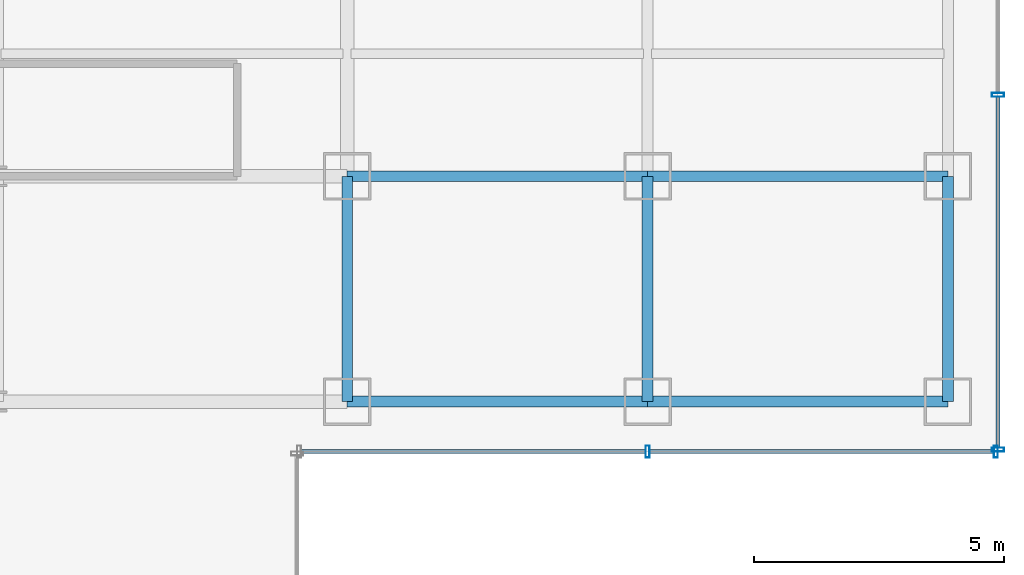
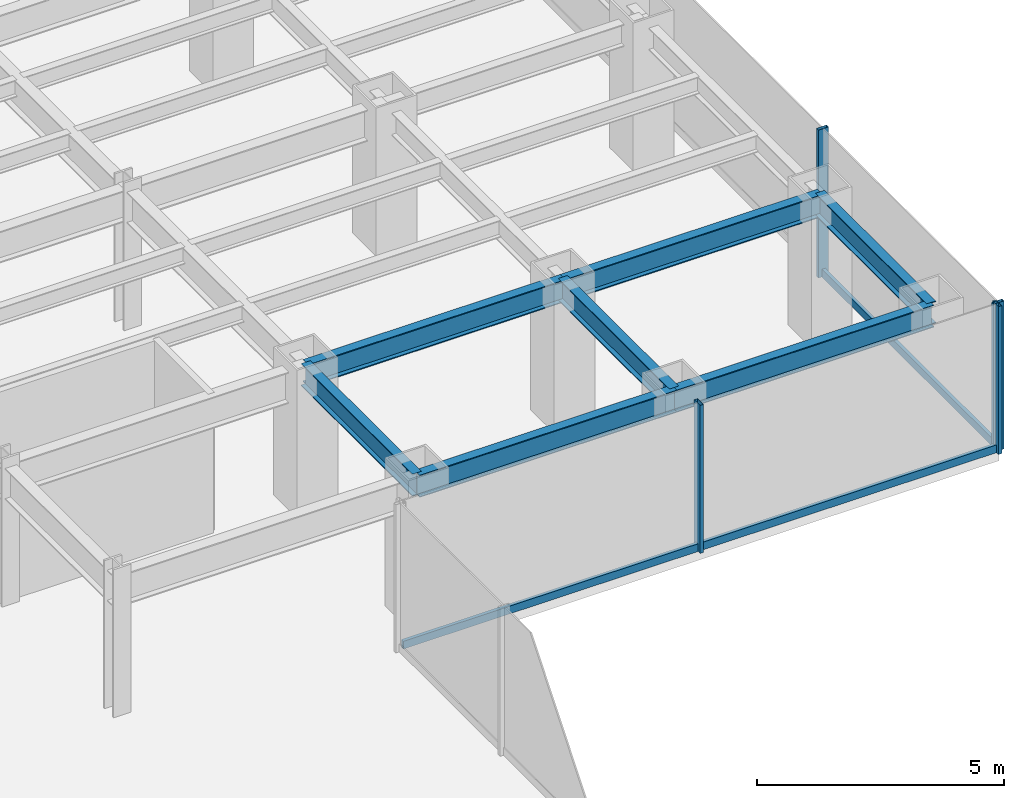
# One storey, part 7 of 23: 7 beams, 7 members, 2 elements without a shape of their own.
"""IFC4 building model written with IfcOpenShell, lengths in metres."""

import ifcopenshell
import ifcopenshell.guid

model = None  # the IFC model being written
_history = None  # IfcOwnerHistory: only IFC2X3 demands one
_inside = {}  # id of a spatial element -> (the spatial element, [elements in it])
_under = {}  # id of a project, library or spatial element -> (it, [spatial elements below it])
_declared = {}  # id of a project -> (the project, [libraries it declares])
_typed = {}  # id of a type object -> (the type object, [elements of that type])
_made_of = {}  # id of a material, layer set ... -> (it, [elements and type objects made of it])


def new_model(schema):
    """Start an empty IFC model of exactly this schema.

    Asked for "IFC4X3", IfcOpenShell would pick the latest addendum, in which some entities
    have other attributes; the version numbers below select the first issue.
    IFC2X3 requires an IfcOwnerHistory on every rooted entity: one is made here for all.
    """
    global model, _history
    if schema == "IFC4X3":
        model = ifcopenshell.file(schema_version=(4, 3, 0, 0))
    else:
        model = ifcopenshell.file(schema=schema)
    _inside.clear()
    _under.clear()
    _declared.clear()
    _typed.clear()
    _made_of.clear()
    _history = None
    if model.schema == "IFC2X3":
        org = make("IfcOrganization", Name="unknown")
        user = make(
            "IfcPersonAndOrganization",
            ThePerson=make("IfcPerson", FamilyName="unknown"),
            TheOrganization=org,
        )
        app = make(
            "IfcApplication",
            ApplicationDeveloper=org,
            Version="unknown",
            ApplicationFullName="unknown",
            ApplicationIdentifier="unknown",
        )
        _history = make(
            "IfcOwnerHistory",
            OwningUser=user,
            OwningApplication=app,
            ChangeAction="ADDED",
            CreationDate=0,
        )
    return model


def make(cls, **values):
    """One entity of the class cls with the attributes given. An attribute that is None is left unset."""
    return model.create_entity(
        cls, **{name: value for name, value in values.items() if value is not None}
    )


def rooted(cls, **values):
    """An entity with a GlobalId (a new one), such as an element, a storey or a relation."""
    return make(cls, GlobalId=ifcopenshell.guid.new(), OwnerHistory=_history, **values)


def si_unit(unit_type, name, prefix=None):
    """IfcSIUnit, for example si_unit("LENGTHUNIT", "METRE", prefix="MILLI")."""
    return make("IfcSIUnit", UnitType=unit_type, Prefix=prefix, Name=name)


def derived_unit(unit_type, elements):
    """IfcDerivedUnit: a product of units, each with its exponent."""
    return make(
        "IfcDerivedUnit",
        Elements=[
            make("IfcDerivedUnitElement", Unit=unit, Exponent=power)
            for unit, power in elements
        ],
        UnitType=unit_type,
    )


def assignment(units):
    """IfcUnitAssignment: the units of a project."""
    return None if units is None else make("IfcUnitAssignment", Units=units)


def point(xyz):
    """IfcCartesianPoint."""
    return None if xyz is None else make("IfcCartesianPoint", Coordinates=xyz)


def direction(xyz):
    """IfcDirection."""
    return None if xyz is None else make("IfcDirection", DirectionRatios=xyz)


def frame(location, z_axis=None, x_axis=None):
    """IfcAxis2Placement3D, a coordinate frame: its origin and axes. An axis left out is left unset."""
    return make(
        "IfcAxis2Placement3D",
        Location=point(location),
        Axis=direction(z_axis),
        RefDirection=direction(x_axis),
    )


def frame_2d(location, x_axis=None):
    """IfcAxis2Placement2D, a coordinate frame in the plane: its origin and x axis."""
    return make(
        "IfcAxis2Placement2D", Location=point(location), RefDirection=direction(x_axis)
    )


def origin():
    """The frame at (0, 0, 0) with its axes left unset."""
    return frame((0.0, 0.0, 0.0))


def origin_2d():
    """The frame at (0, 0) in the plane with its x axis left unset."""
    return frame_2d((0.0, 0.0))


def place(relative_to, where):
    """IfcLocalPlacement: puts the frame where relative to a parent placement (None: the world)."""
    return make(
        "IfcLocalPlacement", PlacementRelTo=relative_to, RelativePlacement=where
    )


def context(
    kind, dimensions, precision=None, world=None, true_north=None, identifier=None
):
    """IfcGeometricRepresentationContext, for example the 3D "Model" context."""
    return make(
        "IfcGeometricRepresentationContext",
        ContextIdentifier=identifier,
        ContextType=kind,
        CoordinateSpaceDimension=dimensions,
        Precision=precision,
        WorldCoordinateSystem=world,
        TrueNorth=true_north,
    )


def subcontext(parent, identifier, kind, view, scale=None):
    """IfcGeometricRepresentationSubContext, for example "Body" below "Model"."""
    return make(
        "IfcGeometricRepresentationSubContext",
        ContextIdentifier=identifier,
        ContextType=kind,
        ParentContext=parent,
        TargetScale=scale,
        TargetView=view,
    )


def project(units=None, contexts=None):
    """IfcProject with its units and contexts."""
    return rooted(
        "IfcProject",
        Name="project",
        RepresentationContexts=contexts,
        UnitsInContext=assignment(units),
    )


def spatial(cls, under=None, at=None, **own):
    """A site, building, storey or space (cls), placed at a placement, below another one or the project."""
    s = rooted(cls, ObjectPlacement=at, **own)
    if under is not None:
        _under.setdefault(under.id(), (under, []))[1].append(s)
    return s


def profile(cls, at=None, kind="AREA", **sizes):
    """A parametric profile (cls). Its sizes go by their IFC names, for example OverallWidth=200.0."""
    return make(cls, ProfileType=kind, Position=at, **sizes)


def hollow_rectangle(**sizes):
    """IfcRectangleHollowProfileDef."""
    return profile("IfcRectangleHollowProfileDef", **sizes)


def i_section(**sizes):
    """IfcIShapeProfileDef."""
    return profile("IfcIShapeProfileDef", **sizes)


def extrude(swept, where, along, depth):
    """IfcExtrudedAreaSolid: the profile swept, set in the frame where, extruded along a direction by depth."""
    return make(
        "IfcExtrudedAreaSolid",
        SweptArea=swept,
        Position=where,
        ExtrudedDirection=direction(along),
        Depth=depth,
    )


def shape(context_of_items, identifier, shape_type, items):
    """IfcShapeRepresentation: the items that make up one representation, for example the "Body"."""
    return make(
        "IfcShapeRepresentation",
        ContextOfItems=context_of_items,
        RepresentationIdentifier=identifier,
        RepresentationType=shape_type,
        Items=items,
    )


def source(mapping_origin, context_of_items, identifier, shape_type, items):
    """IfcRepresentationMap: a shape defined once, which mapped items show again and again."""
    return make(
        "IfcRepresentationMap",
        MappingOrigin=mapping_origin,
        MappedRepresentation=shape(context_of_items, identifier, shape_type, items),
    )


def transform(
    local_origin,
    x_axis=None,
    y_axis=None,
    z_axis=None,
    scale=None,
    scale2=None,
    scale3=None,
    uniform=True,
):
    """IfcCartesianTransformationOperator3D, or its non-uniform kind. x_axis, y_axis, z_axis: its Axis1, 2, 3."""
    if uniform:
        return make(
            "IfcCartesianTransformationOperator3D",
            Axis1=direction(x_axis),
            Axis2=direction(y_axis),
            LocalOrigin=point(local_origin),
            Scale=scale,
            Axis3=direction(z_axis),
        )
    return make(
        "IfcCartesianTransformationOperator3DnonUniform",
        Axis1=direction(x_axis),
        Axis2=direction(y_axis),
        LocalOrigin=point(local_origin),
        Scale=scale,
        Axis3=direction(z_axis),
        Scale2=scale2,
        Scale3=scale3,
    )


def mapped(mapping_source, mapping_target):
    """IfcMappedItem: shows the shape of a source again, moved by a transform."""
    return make(
        "IfcMappedItem", MappingSource=mapping_source, MappingTarget=mapping_target
    )


def material(Name=None, Category=None):
    """IfcMaterial."""
    return make("IfcMaterial", Name=Name, Category=Category)


def material_profile(
    of_material, cross_section, Name=None, Category=None, Priority=None
):
    """IfcMaterialProfile: a cross section and its material."""
    return make(
        "IfcMaterialProfile",
        Name=Name,
        Material=of_material,
        Profile=cross_section,
        Priority=Priority,
        Category=Category,
    )


def profile_set(profiles, Name=None, composite=None):
    """IfcMaterialProfileSet."""
    return make(
        "IfcMaterialProfileSet",
        Name=Name,
        MaterialProfiles=profiles,
        CompositeProfile=composite,
    )


def made_of(thing, what):
    """Note that an element or type object is made of a material, layer set ...; save() writes the relation."""
    if what is not None:
        _made_of.setdefault(what.id(), (what, []))[1].append(thing)
    return thing


def type_object(cls, material=None, **own):
    """A type object (cls), such as IfcWallType, which elements share."""
    return made_of(rooted(cls, **own), material)


def element(
    cls,
    number,
    at=None,
    inside=None,
    cuts=None,
    type_object=None,
    material=None,
    context=None,
    identifier="Body",
    shape_type=None,
    held_by="IfcProductDefinitionShape",
    body=None,
    shapes=None,
    **own,
):
    """One element of the class cls, such as IfcWall. Its Tag is "e" and its number.

    at: its placement. inside: the storey or other place that contains it. cuts: it is an
    opening in that element (IfcRelVoidsElement). A single representation is given by context,
    identifier, shape_type and body (its items); several are given by shapes. held_by: the class
    of the entity that holds the representations. save() writes the other relations.
    """
    e = rooted(cls, Tag="e%d" % number, ObjectPlacement=at, **own)
    if body is not None:
        shapes = [shape(context, identifier, shape_type, body)]
    if shapes is not None:
        e.Representation = make(held_by, Representations=shapes)
    if inside is not None:
        _inside.setdefault(inside.id(), (inside, []))[1].append(e)
    if cuts is not None:
        rooted(
            "IfcRelVoidsElement", RelatingBuildingElement=cuts, RelatedOpeningElement=e
        )
    if type_object is not None:
        _typed.setdefault(type_object.id(), (type_object, []))[1].append(e)
    return made_of(e, material)


def aggregate(whole, parts):
    """IfcRelAggregates: a whole, such as a stair, and the parts it consists of."""
    return rooted("IfcRelAggregates", RelatingObject=whole, RelatedObjects=parts)


def save(model, path):
    """Write the relations noted so far, then the file.

    IfcRelAggregates (storeys below a building ...), IfcRelContainedInSpatialStructure (elements
    in a storey), IfcRelDefinesByType, IfcRelAssociatesMaterial and IfcRelDeclares: one each for
    every whole, place, type object, material and project.
    """
    for whole, parts in _under.values():
        aggregate(whole, parts)
    for where, things in _inside.values():
        rooted(
            "IfcRelContainedInSpatialStructure",
            RelatedElements=things,
            RelatingStructure=where,
        )
    for kind, things in _typed.values():
        rooted("IfcRelDefinesByType", RelatedObjects=things, RelatingType=kind)
    for what, things in _made_of.values():
        rooted("IfcRelAssociatesMaterial", RelatedObjects=things, RelatingMaterial=what)
    for by, libraries in _declared.values():
        rooted("IfcRelDeclares", RelatingContext=by, RelatedDefinitions=libraries)
    model.write(path)


model = new_model("IFC4")

# Units and contexts
model_context = context("Model", 3, precision=1e-05, world=origin(), true_north=direction((0.0, 1.0)))
body_context = subcontext(model_context, "Body", "Model", "MODEL_VIEW")
ifc_project = project(units=[si_unit("LENGTHUNIT", "METRE"), si_unit("AREAUNIT", "SQUARE_METRE"), si_unit("VOLUMEUNIT", "CUBIC_METRE"), si_unit("PLANEANGLEUNIT", "RADIAN"), si_unit("MASSUNIT", "GRAM", prefix="KILO"), derived_unit("THERMALTRANSMITTANCEUNIT", [(si_unit("POWERUNIT", "WATT"), 1), (si_unit("LENGTHUNIT", "METRE"), -2), (si_unit("THERMODYNAMICTEMPERATUREUNIT", "KELVIN"), -1)])], contexts=[model_context])

# Site, building, storey
site_placement = place(None, origin())
site = spatial("IfcSite", under=ifc_project, at=site_placement, CompositionType="ELEMENT")
building_placement = place(site_placement, origin())
building = spatial("IfcBuilding", under=site, at=building_placement, Name="Skarnbrae Concourse Arena and Tower", CompositionType="ELEMENT")
storey_placement = place(building_placement, frame((0.0, 0.0, 43.449951171875)))
storey = spatial("IfcBuildingStorey", under=building, at=storey_placement, Name="L09", CompositionType="ELEMENT", Elevation=43.449951171875)

# Beams
ifc_material_1 = material(Name="Steel CSA G40.21 350W", Category="steel")
ifc_material_profile_1 = material_profile(ifc_material_1, i_section(OverallWidth=0.214111328125, OverallDepth=0.549072265625, WebThickness=0.0146484375, FlangeThickness=0.023681640625, at=origin_2d()), Name="W530X138")
ifc_profile_set_1 = profile_set([ifc_material_profile_1], Name="Steel CSA G40.21 350W")
beam_type = type_object("IfcBeamType", Name="BM-SPAN-W530X138", PredefinedType="SPANDREL", material=ifc_profile_set_1)
shared_shape_1 = source(origin(), body_context, "Body", "SweptSolid", [
    extrude(i_section(OverallWidth=0.214111328125, OverallDepth=0.549072265625, WebThickness=0.0146484375, FlangeThickness=0.023681640625, at=origin_2d()), origin(), (0.0, 0.0, 1.0), 6.0),
])
for number, where, z_axis, x_axis, name in (
    (1, (49.0, 9.5, 3.12548828125), (1.0, 0.0, 0.0), (0.0, 1.0, 0.0), "L09 Perimeter spandrel Y9.5-3"),
    (2, (55.0, 9.5, 3.12548828125), (1.0, 0.0, 0.0), (0.0, 1.0, 0.0), "L09 Perimeter spandrel Y9.5-4"),
    (3, (49.0, 14.0, 3.12548828125), (1.0, 0.0, 0.0), (0.0, 1.0, 0.0), "L09 Perimeter spandrel Y14.0-8"),
    (4, (55.0, 14.0, 3.12548828125), (1.0, 0.0, 0.0), (0.0, 1.0, 0.0), "L09 Perimeter spandrel Y14.0-9"),
):
    element("IfcBeam", number, at=place(storey_placement, frame(where, z_axis=z_axis, x_axis=x_axis)), inside=storey, type_object=beam_type, Name=name, PredefinedType="SPANDREL", context=body_context, shape_type="MappedRepresentation", body=[
        mapped(shared_shape_1, transform((0.0, 0.0, 0.0))),
    ])
shared_shape_2 = source(origin(), body_context, "Body", "SweptSolid", [
    extrude(i_section(OverallWidth=0.214111328125, OverallDepth=0.549072265625, WebThickness=0.0146484375, FlangeThickness=0.023681640625, at=origin_2d()), origin(), (0.0, 0.0, 1.0), 4.5),
])
for number, where, z_axis, x_axis, name in (
    (5, (49.0, 9.5, 3.12548828125), (0.0, 1.0, 0.0), (-1.0, 0.0, 0.0), "L09 Perimeter spandrel X49.0-1"),
    (6, (55.0, 9.5, 3.12548828125), (0.0, 1.0, 0.0), (-1.0, 0.0, 0.0), "L09 Perimeter spandrel X55.0-1"),
    (7, (61.0, 9.5, 3.12548828125), (0.0, 1.0, 0.0), (-1.0, 0.0, 0.0), "L09 Perimeter spandrel X61.0-1"),
):
    element("IfcBeam", number, at=place(storey_placement, frame(where, z_axis=z_axis, x_axis=x_axis)), inside=storey, type_object=beam_type, Name=name, PredefinedType="SPANDREL", context=body_context, shape_type="MappedRepresentation", body=[
        mapped(shared_shape_2, transform((0.0, 0.0, 0.0))),
    ])

# Curtain wall, members
ifc_material_2 = material(Name="Bronze anodised aluminium 6063-T6", Category="aluminium")
curtain_wall_type = type_object("IfcCurtainWallType", Name="CW-SYS-02-LOWZONE", PredefinedType="USERDEFINED", material=ifc_material_2)
curtain_wall_1_placement = place(storey_placement, origin())
curtain_wall_1 = element("IfcCurtainWall", 8, at=curtain_wall_1_placement, inside=storey, type_object=curtain_wall_type, Name="L09 Unitised curtain wall CW-L09-E03", ObjectType="UNITISED CURTAIN WALL", PredefinedType="USERDEFINED")
ifc_material_profile_2 = material_profile(ifc_material_2, hollow_rectangle(XDim=0.080078125, YDim=0.18994140625, WallThickness=0.0048828125, at=origin_2d()), Name="ALU-TRAN-80X190")
ifc_profile_set_2 = profile_set([ifc_material_profile_2], Name="Bronze anodised aluminium 6063-T6")
member_type_1 = type_object("IfcMemberType", Name="CWT-CW-02", PredefinedType="USERDEFINED", material=ifc_profile_set_2)
shared_shape_3 = source(origin(), body_context, "Body", "SweptSolid", [
    extrude(hollow_rectangle(XDim=0.080078125, YDim=0.18994140625, WallThickness=0.0048828125, at=origin_2d()), origin(), (0.0, 0.0, 1.0), 6.8798828125),
])
member_1_placement = place(storey_placement, frame((48.080078125, 8.5, 0.094970703125), z_axis=(1.0, 0.0, 0.0), x_axis=(0.0, 1.0, 0.0)))
member_1 = element("IfcMember", 9, at=member_1_placement, type_object=member_type_1, Name="CW-L09-E03 Transom 1", ObjectType="TRANSOM", PredefinedType="USERDEFINED", context=body_context, shape_type="MappedRepresentation", body=[
    mapped(shared_shape_3, transform((0.0, 0.0, 0.0))),
])
member_2_placement = place(storey_placement, frame((55.0400390625, 8.5, 0.094970703125), z_axis=(1.0, 0.0, 0.0), x_axis=(0.0, 1.0, 0.0)))
member_2 = element("IfcMember", 10, at=member_2_placement, type_object=member_type_1, Name="CW-L09-E03 Transom 2", ObjectType="TRANSOM", PredefinedType="USERDEFINED", context=body_context, shape_type="MappedRepresentation", body=[
    mapped(shared_shape_3, transform((0.0, 0.0, 0.0))),
])

# Curtain wall, member
curtain_wall_2_placement = place(storey_placement, origin())
curtain_wall_2 = element("IfcCurtainWall", 11, at=curtain_wall_2_placement, inside=storey, type_object=curtain_wall_type, Name="L09 Unitised curtain wall CW-L09-E04", ObjectType="UNITISED CURTAIN WALL", PredefinedType="USERDEFINED")
shared_shape_4 = source(origin(), body_context, "Body", "SweptSolid", [
    extrude(hollow_rectangle(XDim=0.080078125, YDim=0.18994140625, WallThickness=0.0048828125, at=origin_2d()), origin(), (0.0, 0.0, 1.0), 7.0048828125),
])
member_3_placement = place(storey_placement, frame((62.0, 8.580078125, 0.094970703125), z_axis=(0.0, 1.0, 0.0), x_axis=(-1.0, 0.0, 0.0)))
member_3 = element("IfcMember", 12, at=member_3_placement, type_object=member_type_1, Name="CW-L09-E04 Transom 1", ObjectType="TRANSOM", PredefinedType="USERDEFINED", context=body_context, shape_type="MappedRepresentation", body=[
    mapped(shared_shape_4, transform((0.0, 0.0, 0.0))),
])

# Member
ifc_material_profile_3 = material_profile(ifc_material_2, hollow_rectangle(XDim=0.080078125, YDim=0.239990234375, WallThickness=0.0048828125, at=origin_2d()), Name="ALU-MULL-80X240")
ifc_profile_set_3 = profile_set([ifc_material_profile_3], Name="Bronze anodised aluminium 6063-T6")
member_type_2 = type_object("IfcMemberType", Name="CWM-CW-02", PredefinedType="MULLION", material=ifc_profile_set_3)
shared_shape_5 = source(origin(), body_context, "Body", "SweptSolid", [
    extrude(hollow_rectangle(XDim=0.080078125, YDim=0.239990234375, WallThickness=0.0048828125, at=origin_2d()), origin(), (0.0, 0.0, 1.0), 3.650146484375),
])
member_4_placement = place(storey_placement, frame((55.0, 8.5, 0.0), z_axis=(0.0, 0.0, 1.0), x_axis=(1.0, 0.0, 0.0)))
member_4 = element("IfcMember", 13, at=member_4_placement, type_object=member_type_2, Name="CW-L09-E03 Mullion 2", PredefinedType="MULLION", context=body_context, shape_type="MappedRepresentation", body=[
    mapped(shared_shape_5, transform((0.0, 0.0, 0.0))),
])

member_5_placement = place(storey_placement, frame((61.9599609375, 8.5, 0.0), z_axis=(0.0, 0.0, 1.0), x_axis=(1.0, 0.0, 0.0)))
member_5 = element("IfcMember", 14, at=member_5_placement, type_object=member_type_2, Name="CW-L09-E03 Mullion 3", PredefinedType="MULLION", context=body_context, shape_type="MappedRepresentation", body=[
    mapped(shared_shape_5, transform((0.0, 0.0, 0.0))),
])

aggregate(curtain_wall_1, [member_4, member_5, member_1, member_2])

member_6_placement = place(storey_placement, frame((62.0, 8.5400390625, 0.0), z_axis=(0.0, 0.0, 1.0), x_axis=(0.0, 1.0, 0.0)))
member_6 = element("IfcMember", 15, at=member_6_placement, type_object=member_type_2, Name="CW-L09-E04 Mullion 1", PredefinedType="MULLION", context=body_context, shape_type="MappedRepresentation", body=[
    mapped(shared_shape_5, transform((0.0, 0.0, 0.0))),
])

member_7_placement = place(storey_placement, frame((62.0, 15.625, 0.0), z_axis=(0.0, 0.0, 1.0), x_axis=(0.0, 1.0, 0.0)))
member_7 = element("IfcMember", 16, at=member_7_placement, type_object=member_type_2, Name="CW-L09-E04 Mullion 2", PredefinedType="MULLION", context=body_context, shape_type="MappedRepresentation", body=[
    mapped(shared_shape_5, transform((0.0, 0.0, 0.0))),
])

aggregate(curtain_wall_2, [member_6, member_7, member_3])

save(model, "model.ifc")
